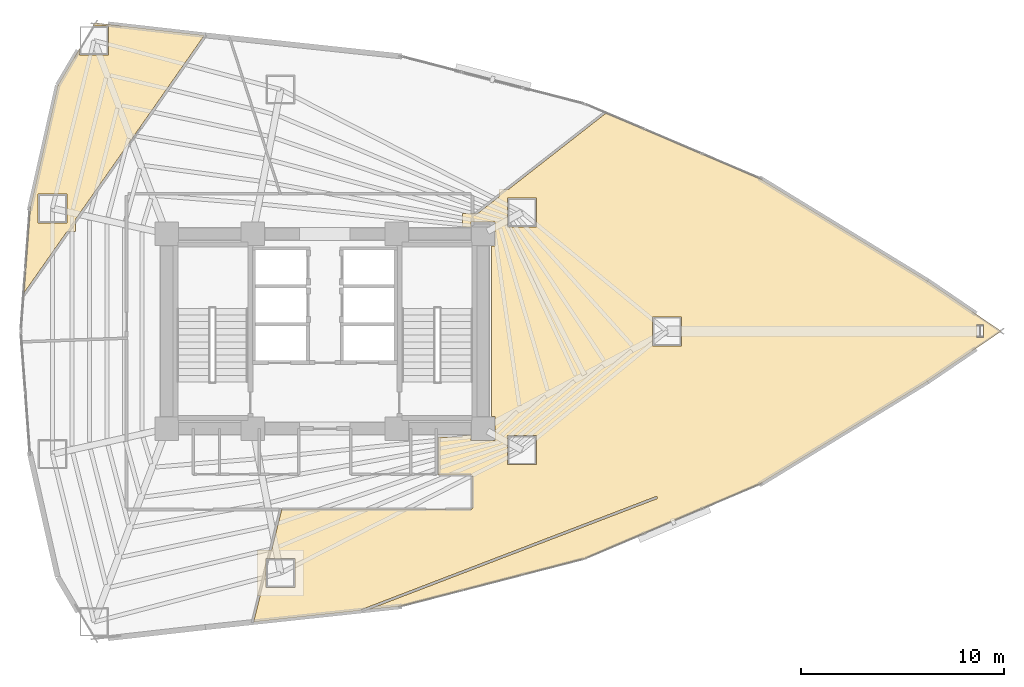
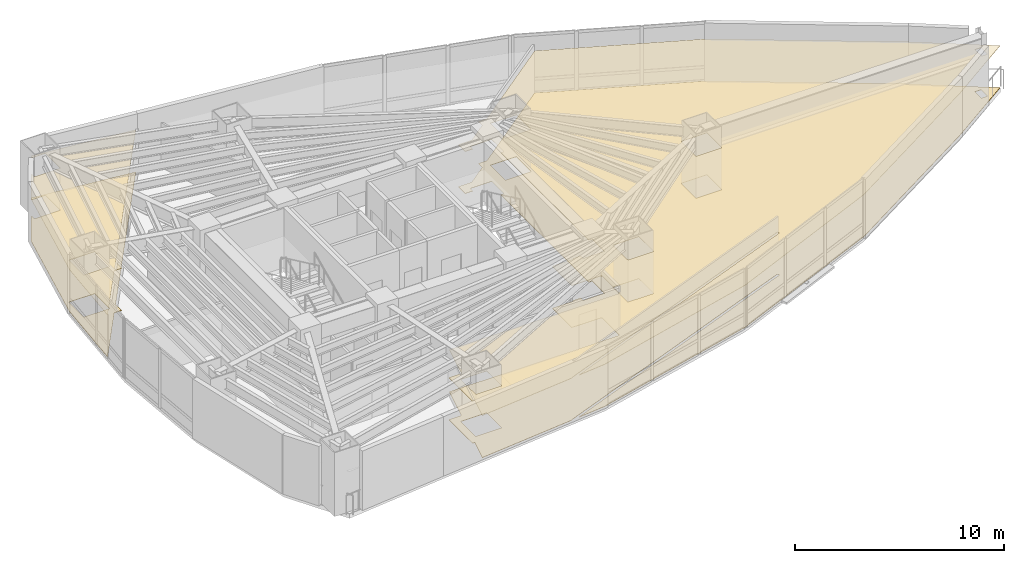
# One storey, part 18 of 20: 4 coverings.
"""IFC4 building model written with IfcOpenShell, lengths in metres."""

from ifc_helpers import new_model, si_unit, direction, frame, origin, place, context, subcontext, project, spatial, polyline, outline, extrude, material, layer, layer_set, type_object, element, save


model = new_model("IFC4")

# Units and contexts
model_context = context("Model", 3, precision=1e-05, world=origin(), true_north=direction((0.0, 1.0)))
body_context = subcontext(model_context, "Body", "Model", "MODEL_VIEW")
ifc_project = project(units=[si_unit("LENGTHUNIT", "METRE"), si_unit("AREAUNIT", "SQUARE_METRE"), si_unit("VOLUMEUNIT", "CUBIC_METRE"), si_unit("PLANEANGLEUNIT", "RADIAN"), si_unit("MASSUNIT", "GRAM", prefix="KILO")], contexts=[model_context])

# Site, building, storey
site_placement = place(None, origin())
site = spatial("IfcSite", under=ifc_project, at=site_placement, CompositionType="ELEMENT")
building_placement = place(site_placement, origin())
building = spatial("IfcBuilding", under=site, at=building_placement, Name="Menara Vayukalpa", CompositionType="ELEMENT")
storey_placement = place(building_placement, frame((0.0, 0.0, 61.080078125)))
storey = spatial("IfcBuildingStorey", under=building, at=storey_placement, Name="L14", CompositionType="ELEMENT", Elevation=61.080078125)

# Coverings
ifc_material_1 = material(Name="Mineral Fibre Acoustic Ceiling Tile", Category="masonry")
ifc_layer_1 = layer(ifc_material_1, 0.02490234375)
ifc_layer_set_1 = layer_set([ifc_layer_1], Name="Mineral Fibre Acoustic Ceiling Tile")
covering_type_1 = type_object("IfcCoveringType", Name="COV-CLG1", PredefinedType="CEILING", material=ifc_layer_set_1)
covering_1_placement = place(storey_placement, frame((0.0, 0.0, 2.449951171875)))
element("IfcCovering", 1, at=covering_1_placement, inside=storey, type_object=covering_type_1, Name="L14 Digital Engineering Lab Acoustic Ceiling", PredefinedType="CEILING", context=body_context, shape_type="SweptSolid", body=[
    extrude(outline(polyline([(23.47119140625, 13.21337890625), (23.471435546875, 13.214111328125), (23.471923828125, 13.215087890625), (23.472412109375, 13.2158203125), (23.472900390625, 13.216552734375), (23.4736328125, 13.21728515625), (23.474365234375, 13.218017578125), (23.47509765625, 13.218505859375), (23.475830078125, 13.218994140625), (23.476806640625, 13.21923828125), (23.477783203125, 13.219482421875), (23.478515625, 13.2197265625), (23.4794921875, 13.219970703125), (23.48046875, 13.219970703125), (32.7998046875, 13.219970703125), (32.806884765625, 13.220458984375), (32.813720703125, 13.22119140625), (32.8203125, 13.222900390625), (32.826904296875, 13.225341796875), (32.8330078125, 13.228271484375), (32.8388671875, 13.231689453125), (32.844482421875, 13.236083984375), (32.849609375, 13.240478515625), (32.85400390625, 13.24560546875), (32.858154296875, 13.251220703125), (32.86181640625, 13.257080078125), (32.86474609375, 13.26318359375), (32.866943359375, 13.269775390625), (32.86865234375, 13.2763671875), (32.86962890625, 13.283203125), (32.8701171875, 13.290283203125), (32.8701171875, 14.849609375), (32.86962890625, 14.856689453125), (32.86865234375, 14.86376953125), (32.866943359375, 14.870361328125), (32.86474609375, 14.876708984375), (32.86181640625, 14.883056640625), (32.858154296875, 14.888916015625), (32.85400390625, 14.89453125), (32.849609375, 14.8994140625), (32.844482421875, 14.904052734375), (32.8388671875, 14.908203125), (32.8330078125, 14.911865234375), (32.826904296875, 14.914794921875), (32.8203125, 14.9169921875), (32.813720703125, 14.918701171875), (32.806884765625, 14.919677734375), (32.7998046875, 14.919921875), (31.219970703125, 14.919921875), (31.218994140625, 14.919921875), (31.218017578125, 14.920166015625), (31.217041015625, 14.92041015625), (31.21630859375, 14.9208984375), (31.21533203125, 14.921142578125), (31.21435546875, 14.921630859375), (31.213623046875, 14.92236328125), (31.212890625, 14.9228515625), (31.21240234375, 14.923583984375), (31.211669921875, 14.92431640625), (31.211181640625, 14.92529296875), (31.210693359375, 14.92626953125), (31.21044921875, 14.927001953125), (31.210205078125, 14.927978515625), (31.2099609375, 14.928955078125), (31.2099609375, 14.929931640625), (31.2099609375, 16.780029296875), (31.2099609375, 16.781005859375), (31.210205078125, 16.781982421875), (31.21044921875, 16.782958984375), (31.210693359375, 16.78369140625), (31.211181640625, 16.78466796875), (31.211669921875, 16.78564453125), (31.21240234375, 16.786376953125), (31.212890625, 16.787109375), (31.213623046875, 16.78759765625), (31.21435546875, 16.788330078125), (31.21533203125, 16.788818359375), (31.21630859375, 16.789306640625), (31.217041015625, 16.78955078125), (31.218017578125, 16.789794921875), (31.218994140625, 16.7900390625), (31.219970703125, 16.7900390625), (32.389892578125, 16.7900390625), (32.389892578125, 16.85009765625), (32.81005859375, 16.85009765625), (32.81005859375, 16.610107421875), (33.989990234375, 16.610107421875), (33.989990234375, 17.7900390625), (33.81005859375, 17.7900390625), (33.81005859375, 26.2099609375), (33.989990234375, 26.2099609375), (33.989990234375, 27.389892578125), (32.81005859375, 27.389892578125), (32.81005859375, 27.14990234375), (32.389892578125, 27.14990234375), (32.389892578125, 27.81005859375), (33.134033203125, 27.81005859375), (34.18310546875, 28.629638671875), (34.18310546875, 28.998291015625), (34.65478515625, 28.998291015625), (39.451416015625, 32.74560546875), (39.454345703125, 32.748291015625), (39.455078125, 32.7490234375), (39.4560546875, 32.74951171875), (39.456787109375, 32.75), (39.457763671875, 32.750244140625), (39.458740234375, 32.75048828125), (39.459716796875, 32.750732421875), (39.460693359375, 32.750732421875), (39.4619140625, 32.750732421875), (39.462890625, 32.75048828125), (39.4638671875, 32.75048828125), (39.46484375, 32.75), (47.09228515625, 29.499755859375), (47.093505859375, 29.4990234375), (55.31494140625, 24.466796875), (55.315185546875, 24.466552734375), (58.927734375, 22.00830078125), (58.928466796875, 22.0078125), (58.92919921875, 22.007080078125), (58.929931640625, 22.00634765625), (58.930419921875, 22.005615234375), (58.930908203125, 22.004638671875), (58.931396484375, 22.00390625), (58.931640625, 22.0029296875), (58.931884765625, 22.001953125), (58.93212890625, 22.0009765625), (58.93212890625, 22.0), (58.93212890625, 21.9990234375), (58.931884765625, 21.998046875), (58.931640625, 21.9970703125), (58.931396484375, 21.99609375), (58.930908203125, 21.995361328125), (58.930419921875, 21.994384765625), (58.929931640625, 21.99365234375), (58.92919921875, 21.992919921875), (58.928466796875, 21.9921875), (58.927734375, 21.99169921875), (55.315185546875, 19.533447265625), (55.31494140625, 19.533203125), (47.093505859375, 14.5009765625), (47.09228515625, 14.500244140625), (38.41748046875, 10.8037109375), (38.416748046875, 10.803466796875), (38.416015625, 10.80322265625), (29.287109375, 8.442138671875), (29.28564453125, 8.44189453125), (27.8046875, 8.283447265625), (27.8037109375, 8.283203125), (27.802490234375, 8.283203125), (27.801513671875, 8.283447265625), (27.800537109375, 8.28369140625), (27.7998046875, 8.2841796875), (27.798828125, 8.284423828125), (27.7978515625, 8.284912109375), (27.797119140625, 8.28564453125), (27.79638671875, 8.2861328125), (27.795654296875, 8.287109375), (27.795166015625, 8.287841796875), (27.794677734375, 8.28857421875), (27.794189453125, 8.28955078125), (27.7939453125, 8.29052734375), (27.793701171875, 8.29150390625), (27.79345703125, 8.29248046875), (27.79345703125, 8.29345703125), (27.793701171875, 8.29443359375), (27.793701171875, 8.29541015625), (27.7939453125, 8.29638671875), (27.794189453125, 8.29736328125), (27.794921875, 8.298095703125), (27.79541015625, 8.299072265625), (27.7958984375, 8.2998046875), (27.796630859375, 8.300537109375), (27.79736328125, 8.30126953125), (27.798095703125, 8.3017578125), (27.799072265625, 8.30224609375), (27.7998046875, 8.302490234375), (41.950927734375, 13.734619140625), (41.95654296875, 13.737060546875), (41.9619140625, 13.739990234375), (41.966552734375, 13.743408203125), (41.970947265625, 13.747314453125), (41.97509765625, 13.751708984375), (41.978759765625, 13.756103515625), (41.98193359375, 13.76123046875), (41.984619140625, 13.766357421875), (41.98681640625, 13.771728515625), (41.98828125, 13.777587890625), (41.9892578125, 13.783203125), (41.98974609375, 13.789306640625), (41.989501953125, 13.795166015625), (41.98876953125, 13.801025390625), (41.987548828125, 13.806884765625), (41.985595703125, 13.812255859375), (41.9833984375, 13.817626953125), (41.98046875, 13.82275390625), (41.97705078125, 13.82763671875), (41.97314453125, 13.83203125), (41.968994140625, 13.836181640625), (41.96435546875, 13.83984375), (41.95947265625, 13.843017578125), (41.9541015625, 13.845703125), (41.948486328125, 13.84765625), (41.94287109375, 13.849365234375), (41.937255859375, 13.850341796875), (41.931396484375, 13.850830078125), (41.92529296875, 13.8505859375), (41.919677734375, 13.849853515625), (41.913818359375, 13.8486328125), (41.908203125, 13.8466796875), (27.40234375, 8.278564453125), (27.396728515625, 8.276123046875), (27.3916015625, 8.273193359375), (27.38671875, 8.269775390625), (27.38232421875, 8.265869140625), (27.37841796875, 8.26171875), (27.374755859375, 8.257080078125), (27.37158203125, 8.251953125), (27.368896484375, 8.246826171875), (27.366943359375, 8.241943359375), (27.366455078125, 8.240966796875), (27.365966796875, 8.239990234375), (27.365478515625, 8.2392578125), (27.36474609375, 8.238525390625), (27.364013671875, 8.23779296875), (27.36328125, 8.2373046875), (27.3623046875, 8.23681640625), (27.361572265625, 8.236328125), (27.360595703125, 8.236083984375), (27.359619140625, 8.235595703125), (27.358642578125, 8.235595703125), (22.103515625, 7.673095703125), (22.1025390625, 7.6728515625), (22.1015625, 7.6728515625), (22.1005859375, 7.673095703125), (22.099853515625, 7.67333984375), (22.098876953125, 7.673583984375), (22.097900390625, 7.674072265625), (22.09716796875, 7.674560546875), (22.096435546875, 7.675048828125), (22.095703125, 7.675537109375), (22.094970703125, 7.67626953125), (22.094482421875, 7.677001953125), (22.09375, 7.677978515625), (22.093505859375, 7.6787109375), (22.093017578125, 7.6796875), (22.0927734375, 7.6806640625), (22.092529296875, 7.681396484375), (22.092529296875, 7.6826171875), (22.092529296875, 7.683349609375), (22.092529296875, 7.684326171875), (22.0927734375, 7.685302734375), (22.40625, 8.942138671875), (22.284423828125, 8.942138671875), (22.284423828125, 11.212158203125), (22.97216796875, 11.212158203125), (23.470703125, 13.21240234375), (23.47119140625, 13.21337890625)]), holes=[polyline([(24.134521484375, 10.792236328125), (22.704345703125, 10.792236328125), (22.704345703125, 9.3623046875), (24.134521484375, 9.3623046875), (24.134521484375, 10.792236328125)]), polyline([(36.032958984375, 16.851806640625), (34.60302734375, 16.851806640625), (34.60302734375, 15.421875), (36.032958984375, 15.421875), (36.032958984375, 16.851806640625)]), polyline([(43.1796875, 22.715087890625), (41.749755859375, 22.715087890625), (41.749755859375, 21.284912109375), (43.1796875, 21.284912109375), (43.1796875, 22.715087890625)]), polyline([(58.07275390625, 22.30908203125), (57.74267578125, 22.30908203125), (57.74267578125, 21.69091796875), (58.07275390625, 21.69091796875), (58.07275390625, 22.30908203125)]), polyline([(36.032958984375, 27.148193359375), (36.032958984375, 28.578125), (34.60302734375, 28.578125), (34.60302734375, 27.148193359375), (36.032958984375, 27.148193359375)])]), origin(), (0.0, 0.0, 1.0), 0.02490234375),
])
covering_2_placement = place(storey_placement, frame((0.0, 0.0, 2.449951171875)))
element("IfcCovering", 2, at=covering_2_placement, inside=storey, type_object=covering_type_1, Name="L14 Open Plan Office Workplace Acoustic Ceiling", PredefinedType="CEILING", context=body_context, shape_type="SweptSolid", body=[
    extrude(outline(polyline([(12.88818359375, 26.924560546875), (10.7822265625, 23.916748046875), (10.781494140625, 23.916015625), (10.781005859375, 23.915283203125), (10.7802734375, 23.914794921875), (10.779296875, 23.9140625), (10.778564453125, 23.91357421875), (10.777587890625, 23.9130859375), (10.77685546875, 23.912841796875), (10.77587890625, 23.91259765625), (10.77490234375, 23.91259765625), (10.77392578125, 23.91259765625), (10.77294921875, 23.91259765625), (10.77197265625, 23.91259765625), (10.77099609375, 23.912841796875), (10.770263671875, 23.913330078125), (10.769287109375, 23.913818359375), (10.7685546875, 23.914306640625), (10.767578125, 23.914794921875), (10.76708984375, 23.915283203125), (10.766357421875, 23.916015625), (10.765869140625, 23.916748046875), (10.76513671875, 23.917724609375), (10.764892578125, 23.91845703125), (10.764404296875, 23.91943359375), (10.76416015625, 23.92041015625), (10.76416015625, 23.92138671875), (10.763916015625, 23.92236328125), (10.763916015625, 23.923095703125), (11.073974609375, 28.057373046875), (11.07421875, 28.058837890625), (12.4365234375, 34.114013671875), (12.43701171875, 34.114990234375), (12.437255859375, 34.115966796875), (12.437744140625, 34.11669921875), (13.502685546875, 35.92822265625), (13.502685546875, 35.619384765625), (14.9326171875, 35.619384765625), (14.9326171875, 37.04931640625), (14.16162109375, 37.04931640625), (14.248291015625, 37.19677734375), (14.248779296875, 37.197509765625), (14.24951171875, 37.1982421875), (14.25, 37.198974609375), (14.250732421875, 37.199462890625), (14.251708984375, 37.2001953125), (14.25244140625, 37.200439453125), (14.25341796875, 37.200927734375), (14.254150390625, 37.201171875), (14.255126953125, 37.201416015625), (14.256103515625, 37.20166015625), (14.257080078125, 37.20166015625), (14.258056640625, 37.201416015625), (19.638916015625, 36.59130859375), (19.639892578125, 36.591064453125), (19.640869140625, 36.5908203125), (19.641845703125, 36.590576171875), (19.642578125, 36.590087890625), (19.6435546875, 36.589599609375), (19.644287109375, 36.5888671875), (19.64501953125, 36.588134765625), (19.6455078125, 36.58740234375), (19.646240234375, 36.586669921875), (19.646728515625, 36.5859375), (19.647216796875, 36.5849609375), (19.6474609375, 36.583984375), (19.647705078125, 36.5830078125), (19.647705078125, 36.58203125), (19.647705078125, 36.5810546875), (19.647705078125, 36.580078125), (19.647705078125, 36.5791015625), (19.647216796875, 36.578125), (19.64697265625, 36.577392578125), (19.646484375, 36.576416015625), (19.64599609375, 36.57568359375), (13.29931640625, 27.511474609375), (13.29931640625, 26.924560546875), (12.88818359375, 26.924560546875)]), holes=[polyline([(12.879150390625, 28.774658203125), (11.44921875, 28.774658203125), (11.44921875, 27.344482421875), (12.879150390625, 27.344482421875), (12.879150390625, 28.774658203125)])]), origin(), (0.0, 0.0, 1.0), 0.02490234375),
])
ifc_material_2 = material(Name="Porcelain Stoneware Floor Tile", Category="masonry")
ifc_layer_2 = layer(ifc_material_2, 0.02001953125)
ifc_layer_set_2 = layer_set([ifc_layer_2], Name="Porcelain Stoneware Floor Tile")
covering_type_2 = type_object("IfcCoveringType", Name="COV-FLR1", PredefinedType="FLOORING", material=ifc_layer_set_2)
covering_3_placement = place(storey_placement, origin())
element("IfcCovering", 3, at=covering_3_placement, inside=storey, type_object=covering_type_2, Name="L14 Digital Engineering Lab Porcelain Flooring", PredefinedType="FLOORING", context=body_context, shape_type="SweptSolid", body=[
    extrude(outline(polyline([(23.47119140625, 13.21337890625), (23.471435546875, 13.214111328125), (23.471923828125, 13.215087890625), (23.472412109375, 13.2158203125), (23.472900390625, 13.216552734375), (23.4736328125, 13.21728515625), (23.474365234375, 13.218017578125), (23.47509765625, 13.218505859375), (23.475830078125, 13.218994140625), (23.476806640625, 13.21923828125), (23.477783203125, 13.219482421875), (23.478515625, 13.2197265625), (23.4794921875, 13.219970703125), (23.48046875, 13.219970703125), (32.7998046875, 13.219970703125), (32.806884765625, 13.220458984375), (32.813720703125, 13.22119140625), (32.8203125, 13.222900390625), (32.826904296875, 13.225341796875), (32.8330078125, 13.228271484375), (32.8388671875, 13.231689453125), (32.844482421875, 13.236083984375), (32.849609375, 13.240478515625), (32.85400390625, 13.24560546875), (32.858154296875, 13.251220703125), (32.86181640625, 13.257080078125), (32.86474609375, 13.26318359375), (32.866943359375, 13.269775390625), (32.86865234375, 13.2763671875), (32.86962890625, 13.283203125), (32.8701171875, 13.290283203125), (32.8701171875, 14.849609375), (32.86962890625, 14.856689453125), (32.86865234375, 14.86376953125), (32.866943359375, 14.870361328125), (32.86474609375, 14.876708984375), (32.86181640625, 14.883056640625), (32.858154296875, 14.888916015625), (32.85400390625, 14.89453125), (32.849609375, 14.8994140625), (32.844482421875, 14.904052734375), (32.8388671875, 14.908203125), (32.8330078125, 14.911865234375), (32.826904296875, 14.914794921875), (32.8203125, 14.9169921875), (32.813720703125, 14.918701171875), (32.806884765625, 14.919677734375), (32.7998046875, 14.919921875), (31.219970703125, 14.919921875), (31.218994140625, 14.919921875), (31.218017578125, 14.920166015625), (31.217041015625, 14.92041015625), (31.21630859375, 14.9208984375), (31.21533203125, 14.921142578125), (31.21435546875, 14.921630859375), (31.213623046875, 14.92236328125), (31.212890625, 14.9228515625), (31.21240234375, 14.923583984375), (31.211669921875, 14.92431640625), (31.211181640625, 14.92529296875), (31.210693359375, 14.92626953125), (31.21044921875, 14.927001953125), (31.210205078125, 14.927978515625), (31.2099609375, 14.928955078125), (31.2099609375, 14.929931640625), (31.2099609375, 16.780029296875), (31.2099609375, 16.781005859375), (31.210205078125, 16.781982421875), (31.21044921875, 16.782958984375), (31.210693359375, 16.78369140625), (31.211181640625, 16.78466796875), (31.211669921875, 16.78564453125), (31.21240234375, 16.786376953125), (31.212890625, 16.787109375), (31.213623046875, 16.78759765625), (31.21435546875, 16.788330078125), (31.21533203125, 16.788818359375), (31.21630859375, 16.789306640625), (31.217041015625, 16.78955078125), (31.218017578125, 16.789794921875), (31.218994140625, 16.7900390625), (31.219970703125, 16.7900390625), (32.389892578125, 16.7900390625), (32.389892578125, 16.85009765625), (32.81005859375, 16.85009765625), (32.81005859375, 16.610107421875), (33.989990234375, 16.610107421875), (33.989990234375, 17.7900390625), (33.81005859375, 17.7900390625), (33.81005859375, 26.2099609375), (33.989990234375, 26.2099609375), (33.989990234375, 27.389892578125), (32.81005859375, 27.389892578125), (32.81005859375, 27.14990234375), (32.389892578125, 27.14990234375), (32.389892578125, 27.81005859375), (33.134033203125, 27.81005859375), (34.18310546875, 28.629638671875), (34.18310546875, 28.998291015625), (34.65478515625, 28.998291015625), (39.451416015625, 32.74560546875), (39.454345703125, 32.748291015625), (39.455078125, 32.7490234375), (39.4560546875, 32.74951171875), (39.456787109375, 32.75), (39.457763671875, 32.750244140625), (39.458740234375, 32.75048828125), (39.459716796875, 32.750732421875), (39.460693359375, 32.750732421875), (39.4619140625, 32.750732421875), (39.462890625, 32.75048828125), (39.4638671875, 32.75048828125), (39.46484375, 32.75), (47.09228515625, 29.499755859375), (47.093505859375, 29.4990234375), (55.31494140625, 24.466796875), (55.315185546875, 24.466552734375), (58.927734375, 22.00830078125), (58.928466796875, 22.0078125), (58.92919921875, 22.007080078125), (58.929931640625, 22.00634765625), (58.930419921875, 22.005615234375), (58.930908203125, 22.004638671875), (58.931396484375, 22.00390625), (58.931640625, 22.0029296875), (58.931884765625, 22.001953125), (58.93212890625, 22.0009765625), (58.93212890625, 22.0), (58.93212890625, 21.9990234375), (58.931884765625, 21.998046875), (58.931640625, 21.9970703125), (58.931396484375, 21.99609375), (58.930908203125, 21.995361328125), (58.930419921875, 21.994384765625), (58.929931640625, 21.99365234375), (58.92919921875, 21.992919921875), (58.928466796875, 21.9921875), (58.927734375, 21.99169921875), (55.315185546875, 19.533447265625), (55.31494140625, 19.533203125), (47.093505859375, 14.5009765625), (47.09228515625, 14.500244140625), (38.41748046875, 10.8037109375), (38.416748046875, 10.803466796875), (38.416015625, 10.80322265625), (29.287109375, 8.442138671875), (29.28564453125, 8.44189453125), (27.8046875, 8.283447265625), (27.8037109375, 8.283203125), (27.802490234375, 8.283203125), (27.801513671875, 8.283447265625), (27.800537109375, 8.28369140625), (27.7998046875, 8.2841796875), (27.798828125, 8.284423828125), (27.7978515625, 8.284912109375), (27.797119140625, 8.28564453125), (27.79638671875, 8.2861328125), (27.795654296875, 8.287109375), (27.795166015625, 8.287841796875), (27.794677734375, 8.28857421875), (27.794189453125, 8.28955078125), (27.7939453125, 8.29052734375), (27.793701171875, 8.29150390625), (27.79345703125, 8.29248046875), (27.79345703125, 8.29345703125), (27.793701171875, 8.29443359375), (27.793701171875, 8.29541015625), (27.7939453125, 8.29638671875), (27.794189453125, 8.29736328125), (27.794921875, 8.298095703125), (27.79541015625, 8.299072265625), (27.7958984375, 8.2998046875), (27.796630859375, 8.300537109375), (27.79736328125, 8.30126953125), (27.798095703125, 8.3017578125), (27.799072265625, 8.30224609375), (27.7998046875, 8.302490234375), (41.950927734375, 13.734619140625), (41.95654296875, 13.737060546875), (41.9619140625, 13.739990234375), (41.966552734375, 13.743408203125), (41.970947265625, 13.747314453125), (41.97509765625, 13.751708984375), (41.978759765625, 13.756103515625), (41.98193359375, 13.76123046875), (41.984619140625, 13.766357421875), (41.98681640625, 13.771728515625), (41.98828125, 13.777587890625), (41.9892578125, 13.783203125), (41.98974609375, 13.789306640625), (41.989501953125, 13.795166015625), (41.98876953125, 13.801025390625), (41.987548828125, 13.806884765625), (41.985595703125, 13.812255859375), (41.9833984375, 13.817626953125), (41.98046875, 13.82275390625), (41.97705078125, 13.82763671875), (41.97314453125, 13.83203125), (41.968994140625, 13.836181640625), (41.96435546875, 13.83984375), (41.95947265625, 13.843017578125), (41.9541015625, 13.845703125), (41.948486328125, 13.84765625), (41.94287109375, 13.849365234375), (41.937255859375, 13.850341796875), (41.931396484375, 13.850830078125), (41.92529296875, 13.8505859375), (41.919677734375, 13.849853515625), (41.913818359375, 13.8486328125), (41.908203125, 13.8466796875), (27.40234375, 8.278564453125), (27.396728515625, 8.276123046875), (27.3916015625, 8.273193359375), (27.38671875, 8.269775390625), (27.38232421875, 8.265869140625), (27.37841796875, 8.26171875), (27.374755859375, 8.257080078125), (27.37158203125, 8.251953125), (27.368896484375, 8.246826171875), (27.366943359375, 8.241943359375), (27.366455078125, 8.240966796875), (27.365966796875, 8.239990234375), (27.365478515625, 8.2392578125), (27.36474609375, 8.238525390625), (27.364013671875, 8.23779296875), (27.36328125, 8.2373046875), (27.3623046875, 8.23681640625), (27.361572265625, 8.236328125), (27.360595703125, 8.236083984375), (27.359619140625, 8.235595703125), (27.358642578125, 8.235595703125), (22.103515625, 7.673095703125), (22.1025390625, 7.6728515625), (22.1015625, 7.6728515625), (22.1005859375, 7.673095703125), (22.099853515625, 7.67333984375), (22.098876953125, 7.673583984375), (22.097900390625, 7.674072265625), (22.09716796875, 7.674560546875), (22.096435546875, 7.675048828125), (22.095703125, 7.675537109375), (22.094970703125, 7.67626953125), (22.094482421875, 7.677001953125), (22.09375, 7.677978515625), (22.093505859375, 7.6787109375), (22.093017578125, 7.6796875), (22.0927734375, 7.6806640625), (22.092529296875, 7.681396484375), (22.092529296875, 7.6826171875), (22.092529296875, 7.683349609375), (22.092529296875, 7.684326171875), (22.0927734375, 7.685302734375), (22.40625, 8.942138671875), (22.284423828125, 8.942138671875), (22.284423828125, 11.212158203125), (22.97216796875, 11.212158203125), (23.470703125, 13.21240234375), (23.47119140625, 13.21337890625)]), holes=[polyline([(24.134521484375, 10.792236328125), (22.704345703125, 10.792236328125), (22.704345703125, 9.3623046875), (24.134521484375, 9.3623046875), (24.134521484375, 10.792236328125)]), polyline([(36.032958984375, 16.851806640625), (34.60302734375, 16.851806640625), (34.60302734375, 15.421875), (36.032958984375, 15.421875), (36.032958984375, 16.851806640625)]), polyline([(43.1796875, 22.715087890625), (41.749755859375, 22.715087890625), (41.749755859375, 21.284912109375), (43.1796875, 21.284912109375), (43.1796875, 22.715087890625)]), polyline([(58.07275390625, 22.30908203125), (57.74267578125, 22.30908203125), (57.74267578125, 21.69091796875), (58.07275390625, 21.69091796875), (58.07275390625, 22.30908203125)]), polyline([(36.032958984375, 27.148193359375), (36.032958984375, 28.578125), (34.60302734375, 28.578125), (34.60302734375, 27.148193359375), (36.032958984375, 27.148193359375)])]), origin(), (0.0, 0.0, 1.0), 0.02001953125),
])
covering_4_placement = place(storey_placement, origin())
element("IfcCovering", 4, at=covering_4_placement, inside=storey, type_object=covering_type_2, Name="L14 Open Plan Office Workplace Porcelain Flooring", PredefinedType="FLOORING", context=body_context, shape_type="SweptSolid", body=[
    extrude(outline(polyline([(12.88818359375, 26.924560546875), (10.7822265625, 23.916748046875), (10.781494140625, 23.916015625), (10.781005859375, 23.915283203125), (10.7802734375, 23.914794921875), (10.779296875, 23.9140625), (10.778564453125, 23.91357421875), (10.777587890625, 23.9130859375), (10.77685546875, 23.912841796875), (10.77587890625, 23.91259765625), (10.77490234375, 23.91259765625), (10.77392578125, 23.91259765625), (10.77294921875, 23.91259765625), (10.77197265625, 23.91259765625), (10.77099609375, 23.912841796875), (10.770263671875, 23.913330078125), (10.769287109375, 23.913818359375), (10.7685546875, 23.914306640625), (10.767578125, 23.914794921875), (10.76708984375, 23.915283203125), (10.766357421875, 23.916015625), (10.765869140625, 23.916748046875), (10.76513671875, 23.917724609375), (10.764892578125, 23.91845703125), (10.764404296875, 23.91943359375), (10.76416015625, 23.92041015625), (10.76416015625, 23.92138671875), (10.763916015625, 23.92236328125), (10.763916015625, 23.923095703125), (11.073974609375, 28.057373046875), (11.07421875, 28.058837890625), (12.4365234375, 34.114013671875), (12.43701171875, 34.114990234375), (12.437255859375, 34.115966796875), (12.437744140625, 34.11669921875), (13.502685546875, 35.92822265625), (13.502685546875, 35.619384765625), (14.9326171875, 35.619384765625), (14.9326171875, 37.04931640625), (14.16162109375, 37.04931640625), (14.248291015625, 37.19677734375), (14.248779296875, 37.197509765625), (14.24951171875, 37.1982421875), (14.25, 37.198974609375), (14.250732421875, 37.199462890625), (14.251708984375, 37.2001953125), (14.25244140625, 37.200439453125), (14.25341796875, 37.200927734375), (14.254150390625, 37.201171875), (14.255126953125, 37.201416015625), (14.256103515625, 37.20166015625), (14.257080078125, 37.20166015625), (14.258056640625, 37.201416015625), (19.638916015625, 36.59130859375), (19.639892578125, 36.591064453125), (19.640869140625, 36.5908203125), (19.641845703125, 36.590576171875), (19.642578125, 36.590087890625), (19.6435546875, 36.589599609375), (19.644287109375, 36.5888671875), (19.64501953125, 36.588134765625), (19.6455078125, 36.58740234375), (19.646240234375, 36.586669921875), (19.646728515625, 36.5859375), (19.647216796875, 36.5849609375), (19.6474609375, 36.583984375), (19.647705078125, 36.5830078125), (19.647705078125, 36.58203125), (19.647705078125, 36.5810546875), (19.647705078125, 36.580078125), (19.647705078125, 36.5791015625), (19.647216796875, 36.578125), (19.64697265625, 36.577392578125), (19.646484375, 36.576416015625), (19.64599609375, 36.57568359375), (13.29931640625, 27.511474609375), (13.29931640625, 26.924560546875), (12.88818359375, 26.924560546875)]), holes=[polyline([(12.879150390625, 28.774658203125), (11.44921875, 28.774658203125), (11.44921875, 27.344482421875), (12.879150390625, 27.344482421875), (12.879150390625, 28.774658203125)])]), origin(), (0.0, 0.0, 1.0), 0.02001953125),
])

save(model, "model.ifc")
